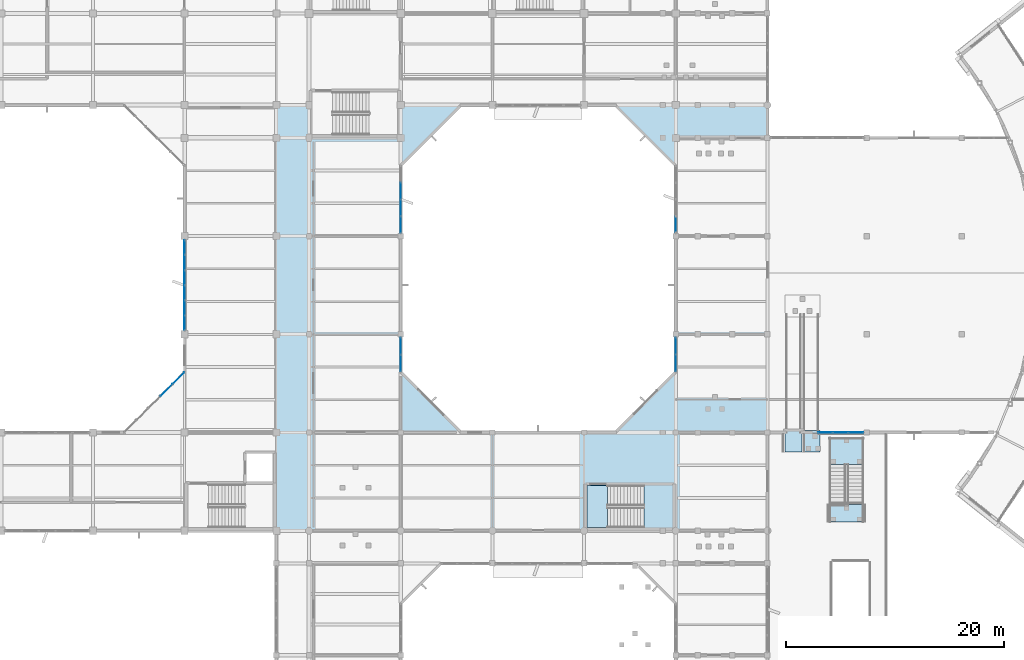
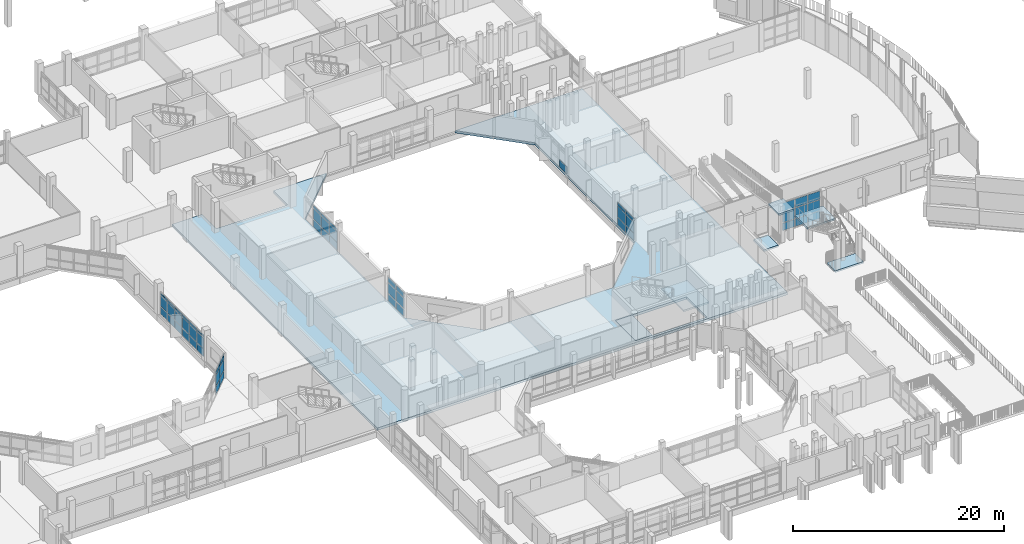
# One storey, part 56 of 104: 55 plates, 7 slabs, 10 elements without a shape of their own.
"""IFC4 building model written with IfcOpenShell, lengths in metres."""

from ifc_helpers import new_model, si_unit, direction, frame, origin, origin_2d, place, context, subcontext, project, spatial, polyline, rectangle, outline, extrude, material, layer, layer_set, type_object, element, aggregate, save


model = new_model("IFC4")

# Units and contexts
model_context = context("Model", 3, precision=1e-05, world=origin(), true_north=direction((0.0, 1.0)))
body_context = subcontext(model_context, "Body", "Model", "MODEL_VIEW")
ifc_project = project(units=[si_unit("LENGTHUNIT", "METRE"), si_unit("AREAUNIT", "SQUARE_METRE"), si_unit("VOLUMEUNIT", "CUBIC_METRE"), si_unit("PLANEANGLEUNIT", "RADIAN"), si_unit("MASSUNIT", "GRAM", prefix="KILO")], contexts=[model_context])

# Site, building, storey
site_placement = place(None, origin())
site = spatial("IfcSite", under=ifc_project, at=site_placement, CompositionType="ELEMENT")
building_placement = place(site_placement, origin())
building = spatial("IfcBuilding", under=site, at=building_placement, Name="Vanh Quang Courtyard School", CompositionType="ELEMENT")
storey_placement = place(building_placement, frame((0.0, 0.0, 4.199951171875)))
storey = spatial("IfcBuildingStorey", under=building, at=storey_placement, Name="L01", CompositionType="ELEMENT", Elevation=4.199951171875)

# Curtain wall, plates
ifc_material_1 = material(Name="Thermally broken aluminium unitised curtain wall", Category="aluminium")
curtain_wall_type_1 = type_object("IfcCurtainWallType", Name="CW-SYS-27", PredefinedType="NOTDEFINED", material=ifc_material_1)
curtain_wall_1_placement = place(storey_placement, origin())
curtain_wall_1 = element("IfcCurtainWall", 1, at=curtain_wall_1_placement, inside=storey, type_object=curtain_wall_type_1, Name="Curtain Wall CW-27 (L01)", PredefinedType="NOTDEFINED")
ifc_material_2 = material(Name="Low-E laminated double glazing", Category="glass")
ifc_layer_1 = layer(ifc_material_2, 0.028076171875)
ifc_layer_set_1 = layer_set([ifc_layer_1], Name="Low-E laminated double glazing")
plate_type_1 = type_object("IfcPlateType", Name="CW-PNL-28", PredefinedType="CURTAIN_PANEL", material=ifc_layer_set_1)
plate_1_placement = place(storey_placement, frame((127.5146484375, 41.39990234375, 0.06982421875), z_axis=(0.0, 0.0, 1.0), x_axis=(-1.0, 0.0, 0.0)))
plate_1 = element("IfcPlate", 2, at=plate_1_placement, type_object=plate_type_1, Name="CW-27 panel 1.1", PredefinedType="CURTAIN_PANEL", context=body_context, shape_type="SweptSolid", body=[
    extrude(rectangle(XDim=1.314697265625, YDim=0.028076171875, at=origin_2d()), origin(), (0.0, 0.0, 1.0), 0.844970703125),
])
plate_2_placement = place(storey_placement, frame((127.5146484375, 41.39990234375, 0.985107421875), z_axis=(0.0, 0.0, 1.0), x_axis=(-1.0, 0.0, 0.0)))
plate_2 = element("IfcPlate", 3, at=plate_2_placement, type_object=plate_type_1, Name="CW-27 panel 1.2", PredefinedType="CURTAIN_PANEL", context=body_context, shape_type="SweptSolid", body=[
    extrude(rectangle(XDim=1.314697265625, YDim=0.028076171875, at=origin_2d()), origin(), (0.0, 0.0, 1.0), 1.22998046875),
])
plate_3_placement = place(storey_placement, frame((127.5146484375, 41.39990234375, 2.28515625), z_axis=(0.0, 0.0, 1.0), x_axis=(-1.0, 0.0, 0.0)))
plate_3 = element("IfcPlate", 4, at=plate_3_placement, type_object=plate_type_1, Name="CW-27 panel 1.3", PredefinedType="CURTAIN_PANEL", context=body_context, shape_type="SweptSolid", body=[
    extrude(rectangle(XDim=1.314697265625, YDim=0.028076171875, at=origin_2d()), origin(), (0.0, 0.0, 1.0), 0.965087890625),
])
plate_4_placement = place(storey_placement, frame((126.112548828125, 41.39990234375, 0.06982421875), z_axis=(0.0, 0.0, 1.0), x_axis=(-1.0, 0.0, 0.0)))
plate_4 = element("IfcPlate", 5, at=plate_4_placement, type_object=plate_type_1, Name="CW-27 panel 2.1", PredefinedType="CURTAIN_PANEL", context=body_context, shape_type="SweptSolid", body=[
    extrude(rectangle(XDim=1.349609375, YDim=0.028076171875, at=origin_2d()), origin(), (0.0, 0.0, 1.0), 0.844970703125),
])
plate_5_placement = place(storey_placement, frame((126.112548828125, 41.39990234375, 0.985107421875), z_axis=(0.0, 0.0, 1.0), x_axis=(-1.0, 0.0, 0.0)))
plate_5 = element("IfcPlate", 6, at=plate_5_placement, type_object=plate_type_1, Name="CW-27 panel 2.2", PredefinedType="CURTAIN_PANEL", context=body_context, shape_type="SweptSolid", body=[
    extrude(rectangle(XDim=1.349609375, YDim=0.028076171875, at=origin_2d()), origin(), (0.0, 0.0, 1.0), 1.22998046875),
])
plate_6_placement = place(storey_placement, frame((126.112548828125, 41.39990234375, 2.28515625), z_axis=(0.0, 0.0, 1.0), x_axis=(-1.0, 0.0, 0.0)))
plate_6 = element("IfcPlate", 7, at=plate_6_placement, type_object=plate_type_1, Name="CW-27 panel 2.3", PredefinedType="CURTAIN_PANEL", context=body_context, shape_type="SweptSolid", body=[
    extrude(rectangle(XDim=1.349609375, YDim=0.028076171875, at=origin_2d()), origin(), (0.0, 0.0, 1.0), 0.965087890625),
])
plate_7_placement = place(storey_placement, frame((124.71044921875, 41.39990234375, 0.06982421875), z_axis=(0.0, 0.0, 1.0), x_axis=(-1.0, 0.0, 0.0)))
plate_7 = element("IfcPlate", 8, at=plate_7_placement, type_object=plate_type_1, Name="CW-27 panel 3.1", PredefinedType="CURTAIN_PANEL", context=body_context, shape_type="SweptSolid", body=[
    extrude(rectangle(XDim=1.314697265625, YDim=0.028076171875, at=origin_2d()), origin(), (0.0, 0.0, 1.0), 0.844970703125),
])
plate_8_placement = place(storey_placement, frame((124.71044921875, 41.39990234375, 0.985107421875), z_axis=(0.0, 0.0, 1.0), x_axis=(-1.0, 0.0, 0.0)))
plate_8 = element("IfcPlate", 9, at=plate_8_placement, type_object=plate_type_1, Name="CW-27 panel 3.2", PredefinedType="CURTAIN_PANEL", context=body_context, shape_type="SweptSolid", body=[
    extrude(rectangle(XDim=1.314697265625, YDim=0.028076171875, at=origin_2d()), origin(), (0.0, 0.0, 1.0), 1.22998046875),
])
plate_9_placement = place(storey_placement, frame((124.71044921875, 41.39990234375, 2.28515625), z_axis=(0.0, 0.0, 1.0), x_axis=(-1.0, 0.0, 0.0)))
plate_9 = element("IfcPlate", 10, at=plate_9_placement, type_object=plate_type_1, Name="CW-27 panel 3.3", PredefinedType="CURTAIN_PANEL", context=body_context, shape_type="SweptSolid", body=[
    extrude(rectangle(XDim=1.314697265625, YDim=0.028076171875, at=origin_2d()), origin(), (0.0, 0.0, 1.0), 0.965087890625),
])
aggregate(curtain_wall_1, [plate_1, plate_2, plate_3, plate_4, plate_5, plate_6, plate_7, plate_8, plate_9])

curtain_wall_type_2 = type_object("IfcCurtainWallType", Name="CW-SYS-40", PredefinedType="NOTDEFINED", material=ifc_material_1)
curtain_wall_2_placement = place(storey_placement, origin())
curtain_wall_2 = element("IfcCurtainWall", 11, at=curtain_wall_2_placement, inside=storey, type_object=curtain_wall_type_2, Name="Curtain Wall CW-40 (L01)", PredefinedType="NOTDEFINED")
plate_10_placement = place(storey_placement, frame((64.3369140625, 45.28076171875, 0.06005859375), z_axis=(0.0, 0.0, 1.0), x_axis=(0.707106781187, 0.707106781187, 0.0)))
plate_10 = element("IfcPlate", 12, at=plate_10_placement, type_object=plate_type_1, Name="CW-40 panel 4.1", PredefinedType="CURTAIN_PANEL", context=body_context, shape_type="SweptSolid", body=[
    extrude(rectangle(XDim=1.508056640625, YDim=0.028076171875, at=origin_2d()), origin(), (0.0, 0.0, 1.0), 0.860107421875),
])
plate_11_placement = place(storey_placement, frame((64.3369140625, 45.28076171875, 0.97998046875), z_axis=(0.0, 0.0, 1.0), x_axis=(0.707106781187, 0.707106781187, 0.0)))
plate_11 = element("IfcPlate", 13, at=plate_11_placement, type_object=plate_type_1, Name="CW-40 panel 4.2", PredefinedType="CURTAIN_PANEL", context=body_context, shape_type="SweptSolid", body=[
    extrude(rectangle(XDim=1.508056640625, YDim=0.028076171875, at=origin_2d()), origin(), (0.0, 0.0, 1.0), 1.239990234375),
])
plate_12_placement = place(storey_placement, frame((64.3369140625, 45.28076171875, 2.2802734375), z_axis=(0.0, 0.0, 1.0), x_axis=(0.707106781187, 0.707106781187, 0.0)))
plate_12 = element("IfcPlate", 14, at=plate_12_placement, type_object=plate_type_1, Name="CW-40 panel 4.3", PredefinedType="CURTAIN_PANEL", context=body_context, shape_type="SweptSolid", body=[
    extrude(rectangle(XDim=1.508056640625, YDim=0.028076171875, at=origin_2d()), origin(), (0.0, 0.0, 1.0), 0.510009765625),
])
plate_13_placement = place(storey_placement, frame((65.43505859375, 46.37890625, 0.06005859375), z_axis=(0.0, 0.0, 1.0), x_axis=(0.707106781187, 0.707106781187, 0.0)))
plate_13 = element("IfcPlate", 15, at=plate_13_placement, type_object=plate_type_1, Name="CW-40 panel 5.1", PredefinedType="CURTAIN_PANEL", context=body_context, shape_type="SweptSolid", body=[
    extrude(rectangle(XDim=1.47802734375, YDim=0.028076171875, at=origin_2d()), origin(), (0.0, 0.0, 1.0), 0.860107421875),
])
plate_14_placement = place(storey_placement, frame((65.43505859375, 46.37890625, 0.97998046875), z_axis=(0.0, 0.0, 1.0), x_axis=(0.707106781187, 0.707106781187, 0.0)))
plate_14 = element("IfcPlate", 16, at=plate_14_placement, type_object=plate_type_1, Name="CW-40 panel 5.2", PredefinedType="CURTAIN_PANEL", context=body_context, shape_type="SweptSolid", body=[
    extrude(rectangle(XDim=1.47802734375, YDim=0.028076171875, at=origin_2d()), origin(), (0.0, 0.0, 1.0), 1.239990234375),
])
plate_15_placement = place(storey_placement, frame((65.43505859375, 46.37890625, 2.2802734375), z_axis=(0.0, 0.0, 1.0), x_axis=(0.707106781187, 0.707106781187, 0.0)))
plate_15 = element("IfcPlate", 17, at=plate_15_placement, type_object=plate_type_1, Name="CW-40 panel 5.3", PredefinedType="CURTAIN_PANEL", context=body_context, shape_type="SweptSolid", body=[
    extrude(rectangle(XDim=1.47802734375, YDim=0.028076171875, at=origin_2d()), origin(), (0.0, 0.0, 1.0), 0.510009765625),
])
aggregate(curtain_wall_2, [plate_10, plate_11, plate_12, plate_13, plate_14, plate_15])

curtain_wall_type_3 = type_object("IfcCurtainWallType", Name="CW-SYS-43", PredefinedType="NOTDEFINED", material=ifc_material_1)
curtain_wall_3_placement = place(storey_placement, origin())
curtain_wall_3 = element("IfcCurtainWall", 18, at=curtain_wall_3_placement, inside=storey, type_object=curtain_wall_type_3, Name="Curtain Wall CW-43 (L01)", PredefinedType="NOTDEFINED")
plate_16_placement = place(storey_placement, frame((111.0, 47.758544921875, 0.06005859375), z_axis=(0.0, 0.0, 1.0), x_axis=(0.0, 1.0, 0.0)))
plate_16 = element("IfcPlate", 19, at=plate_16_placement, type_object=plate_type_1, Name="CW-43 panel 1.1", PredefinedType="CURTAIN_PANEL", context=body_context, shape_type="SweptSolid", body=[
    extrude(rectangle(XDim=1.509033203125, YDim=0.028076171875, at=origin_2d()), origin(), (0.0, 0.0, 1.0), 0.860107421875),
])
plate_17_placement = place(storey_placement, frame((111.0, 47.758544921875, 0.97998046875), z_axis=(0.0, 0.0, 1.0), x_axis=(0.0, 1.0, 0.0)))
plate_17 = element("IfcPlate", 20, at=plate_17_placement, type_object=plate_type_1, Name="CW-43 panel 1.2", PredefinedType="CURTAIN_PANEL", context=body_context, shape_type="SweptSolid", body=[
    extrude(rectangle(XDim=1.509033203125, YDim=0.028076171875, at=origin_2d()), origin(), (0.0, 0.0, 1.0), 1.239990234375),
])
plate_18_placement = place(storey_placement, frame((111.0, 47.758544921875, 2.280029296875), z_axis=(0.0, 0.0, 1.0), x_axis=(0.0, 1.0, 0.0)))
plate_18 = element("IfcPlate", 21, at=plate_18_placement, type_object=plate_type_1, Name="CW-43 panel 1.3", PredefinedType="CURTAIN_PANEL", context=body_context, shape_type="SweptSolid", body=[
    extrude(rectangle(XDim=1.509033203125, YDim=0.028076171875, at=origin_2d()), origin(), (0.0, 0.0, 1.0), 0.3798828125),
])
plate_19_placement = place(storey_placement, frame((111.0, 49.327392578125, 0.06005859375), z_axis=(0.0, 0.0, 1.0), x_axis=(0.0, 1.0, 0.0)))
plate_19 = element("IfcPlate", 22, at=plate_19_placement, type_object=plate_type_1, Name="CW-43 panel 2.1", PredefinedType="CURTAIN_PANEL", context=body_context, shape_type="SweptSolid", body=[
    extrude(rectangle(XDim=1.509033203125, YDim=0.028076171875, at=origin_2d()), origin(), (0.0, 0.0, 1.0), 0.860107421875),
])
plate_20_placement = place(storey_placement, frame((111.0, 49.327392578125, 0.97998046875), z_axis=(0.0, 0.0, 1.0), x_axis=(0.0, 1.0, 0.0)))
plate_20 = element("IfcPlate", 23, at=plate_20_placement, type_object=plate_type_1, Name="CW-43 panel 2.2", PredefinedType="CURTAIN_PANEL", context=body_context, shape_type="SweptSolid", body=[
    extrude(rectangle(XDim=1.509033203125, YDim=0.028076171875, at=origin_2d()), origin(), (0.0, 0.0, 1.0), 1.239990234375),
])
plate_21_placement = place(storey_placement, frame((111.0, 49.327392578125, 2.280029296875), z_axis=(0.0, 0.0, 1.0), x_axis=(0.0, 1.0, 0.0)))
plate_21 = element("IfcPlate", 24, at=plate_21_placement, type_object=plate_type_1, Name="CW-43 panel 2.3", PredefinedType="CURTAIN_PANEL", context=body_context, shape_type="SweptSolid", body=[
    extrude(rectangle(XDim=1.509033203125, YDim=0.028076171875, at=origin_2d()), origin(), (0.0, 0.0, 1.0), 0.3798828125),
])
aggregate(curtain_wall_3, [plate_16, plate_17, plate_18, plate_19, plate_20, plate_21])

curtain_wall_type_4 = type_object("IfcCurtainWallType", Name="CW-SYS-45", PredefinedType="NOTDEFINED", material=ifc_material_1)
curtain_wall_4_placement = place(storey_placement, origin())
curtain_wall_4 = element("IfcCurtainWall", 25, at=curtain_wall_4_placement, inside=storey, type_object=curtain_wall_type_4, Name="Curtain Wall CW-45 (L01)", PredefinedType="NOTDEFINED")
plate_22_placement = place(storey_placement, frame((85.800048828125, 49.324951171875, 0.06982421875), z_axis=(0.0, 0.0, 1.0), x_axis=(0.0, -1.0, 0.0)))
plate_22 = element("IfcPlate", 26, at=plate_22_placement, type_object=plate_type_1, Name="CW-45 panel 1.1", PredefinedType="CURTAIN_PANEL", context=body_context, shape_type="SweptSolid", body=[
    extrude(rectangle(XDim=1.493896484375, YDim=0.028076171875, at=origin_2d()), origin(), (0.0, 0.0, 1.0), 0.844970703125),
])
plate_23_placement = place(storey_placement, frame((85.800048828125, 49.324951171875, 0.985107421875), z_axis=(0.0, 0.0, 1.0), x_axis=(0.0, -1.0, 0.0)))
plate_23 = element("IfcPlate", 27, at=plate_23_placement, type_object=plate_type_1, Name="CW-45 panel 1.2", PredefinedType="CURTAIN_PANEL", context=body_context, shape_type="SweptSolid", body=[
    extrude(rectangle(XDim=1.493896484375, YDim=0.028076171875, at=origin_2d()), origin(), (0.0, 0.0, 1.0), 1.22998046875),
])
plate_24_placement = place(storey_placement, frame((85.800048828125, 49.324951171875, 2.28515625), z_axis=(0.0, 0.0, 1.0), x_axis=(0.0, -1.0, 0.0)))
plate_24 = element("IfcPlate", 28, at=plate_24_placement, type_object=plate_type_1, Name="CW-45 panel 1.3", PredefinedType="CURTAIN_PANEL", context=body_context, shape_type="SweptSolid", body=[
    extrude(rectangle(XDim=1.493896484375, YDim=0.028076171875, at=origin_2d()), origin(), (0.0, 0.0, 1.0), 0.56494140625),
])
plate_25_placement = place(storey_placement, frame((85.800048828125, 47.760986328125, 0.06982421875), z_axis=(0.0, 0.0, 1.0), x_axis=(0.0, -1.0, 0.0)))
plate_25 = element("IfcPlate", 29, at=plate_25_placement, type_object=plate_type_1, Name="CW-45 panel 2.1", PredefinedType="CURTAIN_PANEL", context=body_context, shape_type="SweptSolid", body=[
    extrude(rectangle(XDim=1.493896484375, YDim=0.028076171875, at=origin_2d()), origin(), (0.0, 0.0, 1.0), 0.844970703125),
])
plate_26_placement = place(storey_placement, frame((85.800048828125, 47.760986328125, 0.985107421875), z_axis=(0.0, 0.0, 1.0), x_axis=(0.0, -1.0, 0.0)))
plate_26 = element("IfcPlate", 30, at=plate_26_placement, type_object=plate_type_1, Name="CW-45 panel 2.2", PredefinedType="CURTAIN_PANEL", context=body_context, shape_type="SweptSolid", body=[
    extrude(rectangle(XDim=1.493896484375, YDim=0.028076171875, at=origin_2d()), origin(), (0.0, 0.0, 1.0), 1.22998046875),
])
plate_27_placement = place(storey_placement, frame((85.800048828125, 47.760986328125, 2.28515625), z_axis=(0.0, 0.0, 1.0), x_axis=(0.0, -1.0, 0.0)))
plate_27 = element("IfcPlate", 31, at=plate_27_placement, type_object=plate_type_1, Name="CW-45 panel 2.3", PredefinedType="CURTAIN_PANEL", context=body_context, shape_type="SweptSolid", body=[
    extrude(rectangle(XDim=1.493896484375, YDim=0.028076171875, at=origin_2d()), origin(), (0.0, 0.0, 1.0), 0.56494140625),
])
aggregate(curtain_wall_4, [plate_22, plate_23, plate_24, plate_25, plate_26, plate_27])

curtain_wall_type_5 = type_object("IfcCurtainWallType", Name="CW-SYS-20", PredefinedType="NOTDEFINED", material=ifc_material_1)
curtain_wall_5_placement = place(storey_placement, origin())
curtain_wall_5 = element("IfcCurtainWall", 32, at=curtain_wall_5_placement, inside=storey, type_object=curtain_wall_type_5, Name="Curtain Wall CW-20 (L01)", PredefinedType="NOTDEFINED")
ifc_layer_2 = layer(ifc_material_2, 0.031982421875)
ifc_layer_set_2 = layer_set([ifc_layer_2], Name="Low-E laminated double glazing")
plate_type_2 = type_object("IfcPlateType", Name="CW-PNL-32", PredefinedType="CURTAIN_PANEL", material=ifc_layer_set_2)
plate_28_placement = place(storey_placement, frame((66.0, 51.445068359375, 0.06982421875), z_axis=(0.0, 0.0, 1.0), x_axis=(0.0, 1.0, 0.0)))
plate_28 = element("IfcPlate", 33, at=plate_28_placement, type_object=plate_type_2, Name="CW-20 panel 1.1", PredefinedType="CURTAIN_PANEL", context=body_context, shape_type="SweptSolid", body=[
    extrude(rectangle(XDim=1.283935546875, YDim=0.031982421875, at=origin_2d()), origin(), (0.0, 0.0, 1.0), 0.844970703125),
])
plate_29_placement = place(storey_placement, frame((66.0, 51.445068359375, 0.985107421875), z_axis=(0.0, 0.0, 1.0), x_axis=(0.0, 1.0, 0.0)))
plate_29 = element("IfcPlate", 34, at=plate_29_placement, type_object=plate_type_2, Name="CW-20 panel 1.2", PredefinedType="CURTAIN_PANEL", context=body_context, shape_type="SweptSolid", body=[
    extrude(rectangle(XDim=1.283935546875, YDim=0.031982421875, at=origin_2d()), origin(), (0.0, 0.0, 1.0), 1.22998046875),
])
plate_30_placement = place(storey_placement, frame((66.0, 51.445068359375, 2.284912109375), z_axis=(0.0, 0.0, 1.0), x_axis=(0.0, 1.0, 0.0)))
plate_30 = element("IfcPlate", 35, at=plate_30_placement, type_object=plate_type_2, Name="CW-20 panel 1.3", PredefinedType="CURTAIN_PANEL", context=body_context, shape_type="SweptSolid", body=[
    extrude(rectangle(XDim=1.283935546875, YDim=0.031982421875, at=origin_2d()), origin(), (0.0, 0.0, 1.0), 0.2451171875),
])
plate_31_placement = place(storey_placement, frame((66.0, 52.81640625, 0.06982421875), z_axis=(0.0, 0.0, 1.0), x_axis=(0.0, 1.0, 0.0)))
plate_31 = element("IfcPlate", 36, at=plate_31_placement, type_object=plate_type_2, Name="CW-20 panel 2.1", PredefinedType="CURTAIN_PANEL", context=body_context, shape_type="SweptSolid", body=[
    extrude(rectangle(XDim=1.319091796875, YDim=0.031982421875, at=origin_2d()), origin(), (0.0, 0.0, 1.0), 0.844970703125),
])
plate_32_placement = place(storey_placement, frame((66.0, 52.81640625, 0.985107421875), z_axis=(0.0, 0.0, 1.0), x_axis=(0.0, 1.0, 0.0)))
plate_32 = element("IfcPlate", 37, at=plate_32_placement, type_object=plate_type_2, Name="CW-20 panel 2.2", PredefinedType="CURTAIN_PANEL", context=body_context, shape_type="SweptSolid", body=[
    extrude(rectangle(XDim=1.319091796875, YDim=0.031982421875, at=origin_2d()), origin(), (0.0, 0.0, 1.0), 1.22998046875),
])
plate_33_placement = place(storey_placement, frame((66.0, 52.81640625, 2.284912109375), z_axis=(0.0, 0.0, 1.0), x_axis=(0.0, 1.0, 0.0)))
plate_33 = element("IfcPlate", 38, at=plate_33_placement, type_object=plate_type_2, Name="CW-20 panel 2.3", PredefinedType="CURTAIN_PANEL", context=body_context, shape_type="SweptSolid", body=[
    extrude(rectangle(XDim=1.319091796875, YDim=0.031982421875, at=origin_2d()), origin(), (0.0, 0.0, 1.0), 0.2451171875),
])
plate_34_placement = place(storey_placement, frame((66.0, 54.20556640625, 0.06982421875), z_axis=(0.0, 0.0, 1.0), x_axis=(0.0, 1.0, 0.0)))
plate_34 = element("IfcPlate", 39, at=plate_34_placement, type_object=plate_type_2, Name="CW-20 panel 3.1", PredefinedType="CURTAIN_PANEL", context=body_context, shape_type="SweptSolid", body=[
    extrude(rectangle(XDim=1.319091796875, YDim=0.031982421875, at=origin_2d()), origin(), (0.0, 0.0, 1.0), 0.844970703125),
])
plate_35_placement = place(storey_placement, frame((66.0, 54.20556640625, 0.985107421875), z_axis=(0.0, 0.0, 1.0), x_axis=(0.0, 1.0, 0.0)))
plate_35 = element("IfcPlate", 40, at=plate_35_placement, type_object=plate_type_2, Name="CW-20 panel 3.2", PredefinedType="CURTAIN_PANEL", context=body_context, shape_type="SweptSolid", body=[
    extrude(rectangle(XDim=1.319091796875, YDim=0.031982421875, at=origin_2d()), origin(), (0.0, 0.0, 1.0), 1.22998046875),
])
plate_36_placement = place(storey_placement, frame((66.0, 54.20556640625, 2.284912109375), z_axis=(0.0, 0.0, 1.0), x_axis=(0.0, 1.0, 0.0)))
plate_36 = element("IfcPlate", 41, at=plate_36_placement, type_object=plate_type_2, Name="CW-20 panel 3.3", PredefinedType="CURTAIN_PANEL", context=body_context, shape_type="SweptSolid", body=[
    extrude(rectangle(XDim=1.319091796875, YDim=0.031982421875, at=origin_2d()), origin(), (0.0, 0.0, 1.0), 0.2451171875),
])
plate_37_placement = place(storey_placement, frame((66.0, 55.594482421875, 0.06982421875), z_axis=(0.0, 0.0, 1.0), x_axis=(0.0, 1.0, 0.0)))
plate_37 = element("IfcPlate", 42, at=plate_37_placement, type_object=plate_type_2, Name="CW-20 panel 4.1", PredefinedType="CURTAIN_PANEL", context=body_context, shape_type="SweptSolid", body=[
    extrude(rectangle(XDim=1.319091796875, YDim=0.031982421875, at=origin_2d()), origin(), (0.0, 0.0, 1.0), 0.844970703125),
])
plate_38_placement = place(storey_placement, frame((66.0, 55.594482421875, 0.985107421875), z_axis=(0.0, 0.0, 1.0), x_axis=(0.0, 1.0, 0.0)))
plate_38 = element("IfcPlate", 43, at=plate_38_placement, type_object=plate_type_2, Name="CW-20 panel 4.2", PredefinedType="CURTAIN_PANEL", context=body_context, shape_type="SweptSolid", body=[
    extrude(rectangle(XDim=1.319091796875, YDim=0.031982421875, at=origin_2d()), origin(), (0.0, 0.0, 1.0), 1.22998046875),
])
plate_39_placement = place(storey_placement, frame((66.0, 55.594482421875, 2.284912109375), z_axis=(0.0, 0.0, 1.0), x_axis=(0.0, 1.0, 0.0)))
plate_39 = element("IfcPlate", 44, at=plate_39_placement, type_object=plate_type_2, Name="CW-20 panel 4.3", PredefinedType="CURTAIN_PANEL", context=body_context, shape_type="SweptSolid", body=[
    extrude(rectangle(XDim=1.319091796875, YDim=0.031982421875, at=origin_2d()), origin(), (0.0, 0.0, 1.0), 0.2451171875),
])
plate_40_placement = place(storey_placement, frame((66.0, 56.9833984375, 0.06982421875), z_axis=(0.0, 0.0, 1.0), x_axis=(0.0, 1.0, 0.0)))
plate_40 = element("IfcPlate", 45, at=plate_40_placement, type_object=plate_type_2, Name="CW-20 panel 5.1", PredefinedType="CURTAIN_PANEL", context=body_context, shape_type="SweptSolid", body=[
    extrude(rectangle(XDim=1.319091796875, YDim=0.031982421875, at=origin_2d()), origin(), (0.0, 0.0, 1.0), 0.844970703125),
])
plate_41_placement = place(storey_placement, frame((66.0, 56.9833984375, 0.985107421875), z_axis=(0.0, 0.0, 1.0), x_axis=(0.0, 1.0, 0.0)))
plate_41 = element("IfcPlate", 46, at=plate_41_placement, type_object=plate_type_2, Name="CW-20 panel 5.2", PredefinedType="CURTAIN_PANEL", context=body_context, shape_type="SweptSolid", body=[
    extrude(rectangle(XDim=1.319091796875, YDim=0.031982421875, at=origin_2d()), origin(), (0.0, 0.0, 1.0), 1.22998046875),
])
plate_42_placement = place(storey_placement, frame((66.0, 56.9833984375, 2.284912109375), z_axis=(0.0, 0.0, 1.0), x_axis=(0.0, 1.0, 0.0)))
plate_42 = element("IfcPlate", 47, at=plate_42_placement, type_object=plate_type_2, Name="CW-20 panel 5.3", PredefinedType="CURTAIN_PANEL", context=body_context, shape_type="SweptSolid", body=[
    extrude(rectangle(XDim=1.319091796875, YDim=0.031982421875, at=origin_2d()), origin(), (0.0, 0.0, 1.0), 0.2451171875),
])
plate_43_placement = place(storey_placement, frame((66.0, 58.35498046875, 0.06982421875), z_axis=(0.0, 0.0, 1.0), x_axis=(0.0, 1.0, 0.0)))
plate_43 = element("IfcPlate", 48, at=plate_43_placement, type_object=plate_type_2, Name="CW-20 panel 6.1", PredefinedType="CURTAIN_PANEL", context=body_context, shape_type="SweptSolid", body=[
    extrude(rectangle(XDim=1.283935546875, YDim=0.031982421875, at=origin_2d()), origin(), (0.0, 0.0, 1.0), 0.844970703125),
])
plate_44_placement = place(storey_placement, frame((66.0, 58.35498046875, 0.985107421875), z_axis=(0.0, 0.0, 1.0), x_axis=(0.0, 1.0, 0.0)))
plate_44 = element("IfcPlate", 49, at=plate_44_placement, type_object=plate_type_2, Name="CW-20 panel 6.2", PredefinedType="CURTAIN_PANEL", context=body_context, shape_type="SweptSolid", body=[
    extrude(rectangle(XDim=1.283935546875, YDim=0.031982421875, at=origin_2d()), origin(), (0.0, 0.0, 1.0), 1.22998046875),
])
plate_45_placement = place(storey_placement, frame((66.0, 58.35498046875, 2.284912109375), z_axis=(0.0, 0.0, 1.0), x_axis=(0.0, 1.0, 0.0)))
plate_45 = element("IfcPlate", 50, at=plate_45_placement, type_object=plate_type_2, Name="CW-20 panel 6.3", PredefinedType="CURTAIN_PANEL", context=body_context, shape_type="SweptSolid", body=[
    extrude(rectangle(XDim=1.283935546875, YDim=0.031982421875, at=origin_2d()), origin(), (0.0, 0.0, 1.0), 0.2451171875),
])
aggregate(curtain_wall_5, [plate_28, plate_29, plate_30, plate_31, plate_32, plate_33, plate_34, plate_35, plate_36, plate_37, plate_38, plate_39, plate_40, plate_41, plate_42, plate_43, plate_44, plate_45])

# Curtain wall, plate
curtain_wall_type_6 = type_object("IfcCurtainWallType", Name="CW-SYS-44", PredefinedType="NOTDEFINED", material=ifc_material_1)
curtain_wall_6_placement = place(storey_placement, origin())
curtain_wall_6 = element("IfcCurtainWall", 51, at=curtain_wall_6_placement, inside=storey, type_object=curtain_wall_type_6, Name="Curtain Wall CW-44 (L01)", PredefinedType="NOTDEFINED")
plate_46_placement = place(storey_placement, frame((111.0, 60.4501953125, 0.06982421875), z_axis=(0.0, 0.0, 1.0), x_axis=(0.0, 1.0, 0.0)))
plate_46 = element("IfcPlate", 52, at=plate_46_placement, type_object=plate_type_2, Name="CW-44 panel 1.1", PredefinedType="CURTAIN_PANEL", context=body_context, shape_type="SweptSolid", body=[
    extrude(rectangle(XDim=1.444580078125, YDim=0.031982421875, at=origin_2d()), origin(), (0.0, 0.0, 1.0), 0.844970703125),
])
aggregate(curtain_wall_6, [plate_46])

# Curtain wall, plates
curtain_wall_7_placement = place(storey_placement, origin())
curtain_wall_7 = element("IfcCurtainWall", 53, at=curtain_wall_7_placement, inside=storey, type_object=curtain_wall_type_6, Name="Curtain Wall CW-44 (L01)", PredefinedType="NOTDEFINED")
plate_47_placement = place(storey_placement, frame((85.800048828125, 63.53173828125, 0.06005859375), z_axis=(0.0, 0.0, 1.0), x_axis=(0.0, -1.0, 0.0)))
plate_47 = element("IfcPlate", 54, at=plate_47_placement, type_object=plate_type_2, Name="CW-44 panel 2.1", PredefinedType="CURTAIN_PANEL", context=body_context, shape_type="SweptSolid", body=[
    extrude(rectangle(XDim=1.489501953125, YDim=0.031982421875, at=origin_2d()), origin(), (0.0, 0.0, 1.0), 0.860107421875),
])
plate_48_placement = place(storey_placement, frame((85.800048828125, 63.53173828125, 0.97998046875), z_axis=(0.0, 0.0, 1.0), x_axis=(0.0, -1.0, 0.0)))
plate_48 = element("IfcPlate", 55, at=plate_48_placement, type_object=plate_type_2, Name="CW-44 panel 2.2", PredefinedType="CURTAIN_PANEL", context=body_context, shape_type="SweptSolid", body=[
    extrude(rectangle(XDim=1.489501953125, YDim=0.031982421875, at=origin_2d()), origin(), (0.0, 0.0, 1.0), 1.239990234375),
])
plate_49_placement = place(storey_placement, frame((85.800048828125, 63.53173828125, 2.2802734375), z_axis=(0.0, 0.0, 1.0), x_axis=(0.0, -1.0, 0.0)))
plate_49 = element("IfcPlate", 56, at=plate_49_placement, type_object=plate_type_2, Name="CW-44 panel 2.3", PredefinedType="CURTAIN_PANEL", context=body_context, shape_type="SweptSolid", body=[
    extrude(rectangle(XDim=1.489501953125, YDim=0.031982421875, at=origin_2d()), origin(), (0.0, 0.0, 1.0), 0.280029296875),
])
plate_50_placement = place(storey_placement, frame((85.800048828125, 61.982177734375, 0.06005859375), z_axis=(0.0, 0.0, 1.0), x_axis=(0.0, -1.0, 0.0)))
plate_50 = element("IfcPlate", 57, at=plate_50_placement, type_object=plate_type_2, Name="CW-44 panel 3.1", PredefinedType="CURTAIN_PANEL", context=body_context, shape_type="SweptSolid", body=[
    extrude(rectangle(XDim=1.489501953125, YDim=0.031982421875, at=origin_2d()), origin(), (0.0, 0.0, 1.0), 0.860107421875),
])
plate_51_placement = place(storey_placement, frame((85.800048828125, 61.982177734375, 0.97998046875), z_axis=(0.0, 0.0, 1.0), x_axis=(0.0, -1.0, 0.0)))
plate_51 = element("IfcPlate", 58, at=plate_51_placement, type_object=plate_type_2, Name="CW-44 panel 3.2", PredefinedType="CURTAIN_PANEL", context=body_context, shape_type="SweptSolid", body=[
    extrude(rectangle(XDim=1.489501953125, YDim=0.031982421875, at=origin_2d()), origin(), (0.0, 0.0, 1.0), 1.239990234375),
])
plate_52_placement = place(storey_placement, frame((85.800048828125, 61.982177734375, 2.2802734375), z_axis=(0.0, 0.0, 1.0), x_axis=(0.0, -1.0, 0.0)))
plate_52 = element("IfcPlate", 59, at=plate_52_placement, type_object=plate_type_2, Name="CW-44 panel 3.3", PredefinedType="CURTAIN_PANEL", context=body_context, shape_type="SweptSolid", body=[
    extrude(rectangle(XDim=1.489501953125, YDim=0.031982421875, at=origin_2d()), origin(), (0.0, 0.0, 1.0), 0.280029296875),
])
plate_53_placement = place(storey_placement, frame((85.800048828125, 60.44775390625, 0.06005859375), z_axis=(0.0, 0.0, 1.0), x_axis=(0.0, -1.0, 0.0)))
plate_53 = element("IfcPlate", 60, at=plate_53_placement, type_object=plate_type_2, Name="CW-44 panel 4.1", PredefinedType="CURTAIN_PANEL", context=body_context, shape_type="SweptSolid", body=[
    extrude(rectangle(XDim=1.45947265625, YDim=0.031982421875, at=origin_2d()), origin(), (0.0, 0.0, 1.0), 0.860107421875),
])
plate_54_placement = place(storey_placement, frame((85.800048828125, 60.44775390625, 0.97998046875), z_axis=(0.0, 0.0, 1.0), x_axis=(0.0, -1.0, 0.0)))
plate_54 = element("IfcPlate", 61, at=plate_54_placement, type_object=plate_type_2, Name="CW-44 panel 4.2", PredefinedType="CURTAIN_PANEL", context=body_context, shape_type="SweptSolid", body=[
    extrude(rectangle(XDim=1.45947265625, YDim=0.031982421875, at=origin_2d()), origin(), (0.0, 0.0, 1.0), 1.239990234375),
])
plate_55_placement = place(storey_placement, frame((85.800048828125, 60.44775390625, 2.2802734375), z_axis=(0.0, 0.0, 1.0), x_axis=(0.0, -1.0, 0.0)))
plate_55 = element("IfcPlate", 62, at=plate_55_placement, type_object=plate_type_2, Name="CW-44 panel 4.3", PredefinedType="CURTAIN_PANEL", context=body_context, shape_type="SweptSolid", body=[
    extrude(rectangle(XDim=1.45947265625, YDim=0.031982421875, at=origin_2d()), origin(), (0.0, 0.0, 1.0), 0.280029296875),
])
aggregate(curtain_wall_7, [plate_47, plate_48, plate_49, plate_50, plate_51, plate_52, plate_53, plate_54, plate_55])

# Slabs
ifc_material_3 = material(Name="Concrete C30/37", Category="concrete")
ifc_layer_3 = layer(ifc_material_3, 0.280029296875)
ifc_layer_set_3 = layer_set([ifc_layer_3], Name="Concrete C30/37")
slab_type_1 = type_object("IfcSlabType", Name="SLB-FLR-280", PredefinedType="FLOOR", material=ifc_layer_set_3)
slab_1_placement = place(storey_placement, frame((0.0, 0.0, -0.280029296875)))
element("IfcSlab", 63, at=slab_1_placement, inside=storey, type_object=slab_type_1, Name="Slab SF-02 (L01)", PredefinedType="FLOOR", context=body_context, shape_type="SweptSolid", body=[
    extrude(outline(polyline([(74.39990234375, 32.39990234375), (119.39990234375, 32.39990234375), (119.39990234375, 71.39990234375), (105.4560546875, 71.39990234375), (111.0, 65.85595703125), (111.0, 46.944091796875), (105.4560546875, 41.39990234375), (91.343994140625, 41.39990234375), (85.800048828125, 46.944091796875), (85.800048828125, 65.85595703125), (91.343994140625, 71.39990234375), (85.52001953125, 71.39990234375), (85.52001953125, 68.679931640625), (77.679931640625, 68.679931640625), (77.679931640625, 71.39990234375), (74.39990234375, 71.39990234375), (74.39990234375, 32.39990234375)]), holes=[polyline([(110.719970703125, 32.679931640625), (102.8798828125, 32.679931640625), (102.8798828125, 36.5400390625), (110.719970703125, 36.5400390625), (110.719970703125, 32.679931640625)])]), origin(), (0.0, 0.0, 1.0), 0.280029296875),
])
slab_2_placement = place(storey_placement, frame((0.0, 0.0, -0.280029296875)))
element("IfcSlab", 64, at=slab_2_placement, inside=storey, type_object=slab_type_1, Name="Slab SF-02 (L01)", PredefinedType="FLOOR", context=body_context, shape_type="SweptSolid", body=[
    extrude(outline(polyline([(104.760009765625, 32.679931640625), (102.8798828125, 32.679931640625), (102.8798828125, 36.5400390625), (104.760009765625, 36.5400390625), (104.760009765625, 32.679931640625)])), origin(), (0.0, 0.0, 1.0), 0.280029296875),
])

# Stair, slab
stair_type_1 = type_object("IfcStairType", Name="STR-CORE-1850", PredefinedType="HALF_TURN_STAIR", material=ifc_material_3)
stair_1_placement = place(storey_placement, origin())
stair_1 = element("IfcStair", 65, at=stair_1_placement, inside=storey, type_object=stair_type_1, Name="L01 ST-08", PredefinedType="HALF_TURN_STAIR")
ifc_layer_4 = layer(ifc_material_3, 0.199951171875)
ifc_layer_set_4 = layer_set([ifc_layer_4], Name="Concrete C30/37")
slab_type_2 = type_object("IfcSlabType", Name="SLB-LND-200", PredefinedType="LANDING", material=ifc_layer_set_4)
slab_3_placement = place(storey_placement, frame((0.0, 0.0, 1.60009765625)))
slab_3 = element("IfcSlab", 66, at=slab_3_placement, type_object=slab_type_2, Name="ST-08 landing 1", PredefinedType="LANDING", context=body_context, shape_type="SweptSolid", body=[
    extrude(outline(polyline([(108.0849609375, 32.52001953125), (110.8798828125, 32.52001953125), (110.8798828125, 36.699951171875), (108.0849609375, 36.699951171875), (108.0849609375, 32.52001953125)])), origin(), (0.0, 0.0, 1.0), 0.199951171875),
])
aggregate(stair_1, [slab_3])

# Ramp, slabs
ramp_type = type_object("IfcRampType", Name="RAMP-ACC-1400", PredefinedType="TWO_STRAIGHT_RUN_RAMP", material=ifc_material_3)
ramp_placement = place(storey_placement, origin())
ramp = element("IfcRamp", 67, at=ramp_placement, inside=storey, type_object=ramp_type, Name="Ramp RMP-02 (L01)", PredefinedType="TWO_STRAIGHT_RUN_RAMP")
ifc_layer_5 = layer(ifc_material_3, 0.219970703125)
ifc_layer_set_5 = layer_set([ifc_layer_5], Name="Concrete C30/37")
slab_type_3 = type_object("IfcSlabType", Name="SLB-RMPLND-220", PredefinedType="LANDING", material=ifc_layer_set_5)
slab_4_placement = place(storey_placement, frame((0.0, 0.0, -0.219970703125)))
slab_4 = element("IfcSlab", 68, at=slab_4_placement, type_object=slab_type_3, Name="Slab SL-RMP (L01)", PredefinedType="LANDING", context=body_context, shape_type="SweptSolid", body=[
    extrude(outline(polyline([(122.580078125, 39.60009765625), (122.580078125, 41.60009765625), (121.0, 41.60009765625), (121.0, 39.60009765625), (122.580078125, 39.60009765625)])), origin(), (0.0, 0.0, 1.0), 0.219970703125),
])
slab_5_placement = place(storey_placement, frame((0.0, 0.0, 3.380126953125)))
slab_5 = element("IfcSlab", 69, at=slab_5_placement, type_object=slab_type_3, Name="Slab SL-RMP (L01)", PredefinedType="LANDING", context=body_context, shape_type="SweptSolid", body=[
    extrude(outline(polyline([(124.239990234375, 39.60009765625), (124.239990234375, 41.60009765625), (122.6201171875, 41.60009765625), (122.6201171875, 39.60009765625), (124.239990234375, 39.60009765625)])), origin(), (0.0, 0.0, 1.0), 0.219970703125),
])
aggregate(ramp, [slab_4, slab_5])

# Stair, slab
stair_type_2 = type_object("IfcStairType", Name="STR-CORE-1450", PredefinedType="HALF_TURN_STAIR", material=ifc_material_3)
stair_2_placement = place(storey_placement, origin())
stair_2 = element("IfcStair", 70, at=stair_2_placement, inside=storey, type_object=stair_type_2, Name="L01 ST-T2", PredefinedType="HALF_TURN_STAIR")
ifc_layer_6 = layer(ifc_material_3, 0.199951171875)
ifc_layer_set_6 = layer_set([ifc_layer_6], Name="Concrete C30/37")
slab_type_4 = type_object("IfcSlabType", Name="SLB-TLND-200", PredefinedType="LANDING", material=ifc_layer_set_6)
slab_6_placement = place(storey_placement, frame((0.0, 0.0, 1.60009765625)))
slab_6 = element("IfcSlab", 71, at=slab_6_placement, type_object=slab_type_4, Name="ST-T2 landing 1", PredefinedType="LANDING", context=body_context, shape_type="SweptSolid", body=[
    extrude(outline(polyline([(128.199951171875, 38.489990234375), (128.199951171875, 40.89990234375), (125.10009765625, 40.89990234375), (125.10009765625, 38.489990234375), (128.199951171875, 38.489990234375)])), origin(), (0.0, 0.0, 1.0), 0.199951171875),
])
aggregate(stair_2, [slab_6])

# Slab
slab_7_placement = place(storey_placement, frame((0.0, 0.0, -0.199951171875)))
element("IfcSlab", 72, at=slab_7_placement, inside=storey, type_object=slab_type_4, Name="Slab SL-02 (L01)", PredefinedType="LANDING", context=body_context, shape_type="SweptSolid", body=[
    extrude(outline(polyline([(125.10009765625, 33.199951171875), (128.199951171875, 33.199951171875), (128.199951171875, 34.780029296875), (125.10009765625, 34.780029296875), (125.10009765625, 33.199951171875)])), origin(), (0.0, 0.0, 1.0), 0.199951171875),
])

save(model, "model.ifc")
